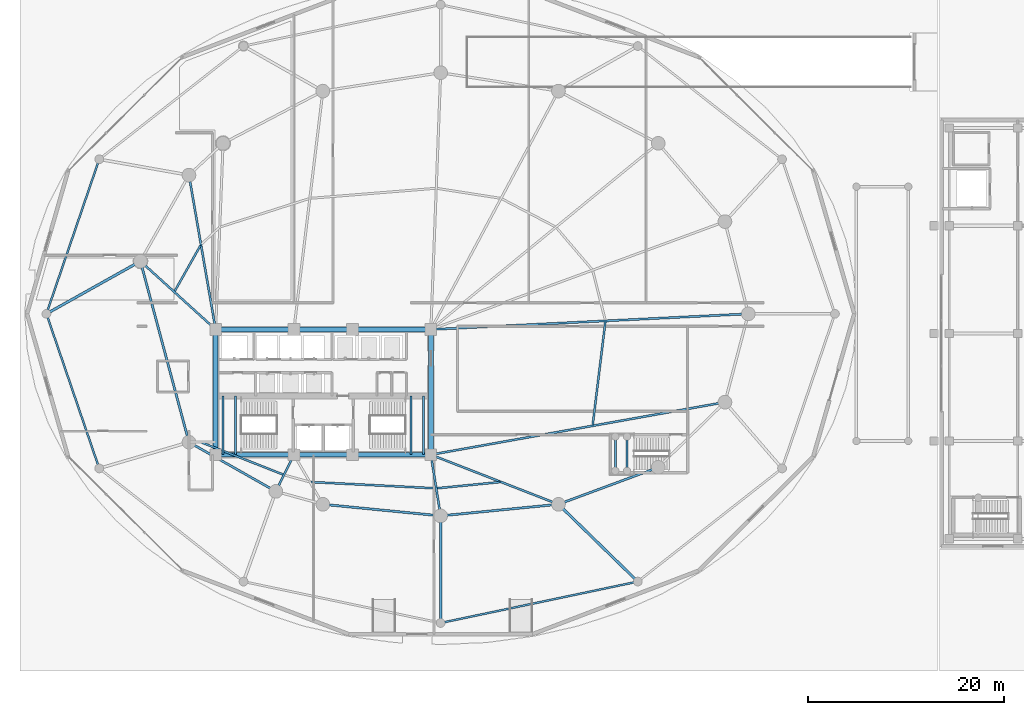
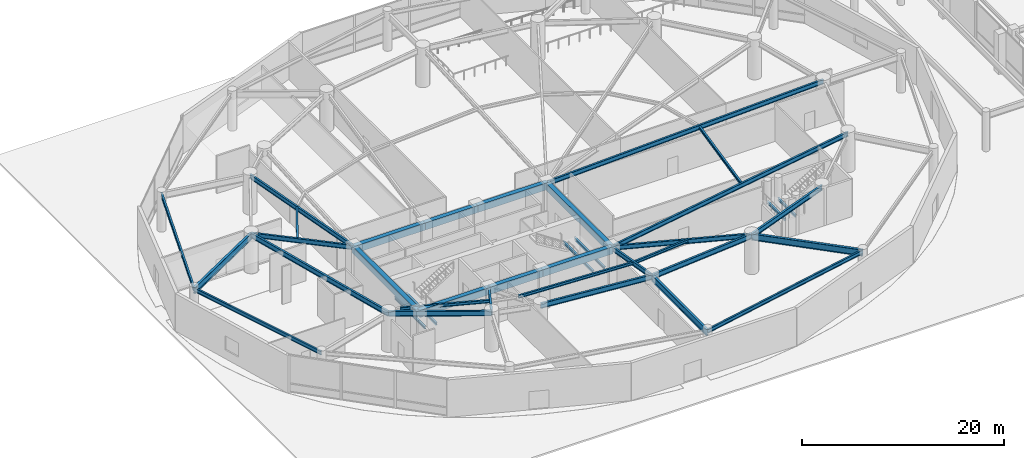
# One storey, part 5 of 35: 37 beams.
"""IFC4 building model written with IfcOpenShell, lengths in metres."""

import ifcopenshell
import ifcopenshell.guid

model = None  # the IFC model being written
_history = None  # IfcOwnerHistory: only IFC2X3 demands one
_inside = {}  # id of a spatial element -> (the spatial element, [elements in it])
_under = {}  # id of a project, library or spatial element -> (it, [spatial elements below it])
_declared = {}  # id of a project -> (the project, [libraries it declares])
_typed = {}  # id of a type object -> (the type object, [elements of that type])
_made_of = {}  # id of a material, layer set ... -> (it, [elements and type objects made of it])


def new_model(schema):
    """Start an empty IFC model of exactly this schema.

    Asked for "IFC4X3", IfcOpenShell would pick the latest addendum, in which some entities
    have other attributes; the version numbers below select the first issue.
    IFC2X3 requires an IfcOwnerHistory on every rooted entity: one is made here for all.
    """
    global model, _history
    if schema == "IFC4X3":
        model = ifcopenshell.file(schema_version=(4, 3, 0, 0))
    else:
        model = ifcopenshell.file(schema=schema)
    _inside.clear()
    _under.clear()
    _declared.clear()
    _typed.clear()
    _made_of.clear()
    _history = None
    if model.schema == "IFC2X3":
        org = make("IfcOrganization", Name="unknown")
        user = make(
            "IfcPersonAndOrganization",
            ThePerson=make("IfcPerson", FamilyName="unknown"),
            TheOrganization=org,
        )
        app = make(
            "IfcApplication",
            ApplicationDeveloper=org,
            Version="unknown",
            ApplicationFullName="unknown",
            ApplicationIdentifier="unknown",
        )
        _history = make(
            "IfcOwnerHistory",
            OwningUser=user,
            OwningApplication=app,
            ChangeAction="ADDED",
            CreationDate=0,
        )
    return model


def make(cls, **values):
    """One entity of the class cls with the attributes given. An attribute that is None is left unset."""
    return model.create_entity(
        cls, **{name: value for name, value in values.items() if value is not None}
    )


def rooted(cls, **values):
    """An entity with a GlobalId (a new one), such as an element, a storey or a relation."""
    return make(cls, GlobalId=ifcopenshell.guid.new(), OwnerHistory=_history, **values)


def si_unit(unit_type, name, prefix=None):
    """IfcSIUnit, for example si_unit("LENGTHUNIT", "METRE", prefix="MILLI")."""
    return make("IfcSIUnit", UnitType=unit_type, Prefix=prefix, Name=name)


def assignment(units):
    """IfcUnitAssignment: the units of a project."""
    return None if units is None else make("IfcUnitAssignment", Units=units)


def point(xyz):
    """IfcCartesianPoint."""
    return None if xyz is None else make("IfcCartesianPoint", Coordinates=xyz)


def direction(xyz):
    """IfcDirection."""
    return None if xyz is None else make("IfcDirection", DirectionRatios=xyz)


def frame(location, z_axis=None, x_axis=None):
    """IfcAxis2Placement3D, a coordinate frame: its origin and axes. An axis left out is left unset."""
    return make(
        "IfcAxis2Placement3D",
        Location=point(location),
        Axis=direction(z_axis),
        RefDirection=direction(x_axis),
    )


def frame_2d(location, x_axis=None):
    """IfcAxis2Placement2D, a coordinate frame in the plane: its origin and x axis."""
    return make(
        "IfcAxis2Placement2D", Location=point(location), RefDirection=direction(x_axis)
    )


def origin():
    """The frame at (0, 0, 0) with its axes left unset."""
    return frame((0.0, 0.0, 0.0))


def origin_2d():
    """The frame at (0, 0) in the plane with its x axis left unset."""
    return frame_2d((0.0, 0.0))


def place(relative_to, where):
    """IfcLocalPlacement: puts the frame where relative to a parent placement (None: the world)."""
    return make(
        "IfcLocalPlacement", PlacementRelTo=relative_to, RelativePlacement=where
    )


def context(
    kind, dimensions, precision=None, world=None, true_north=None, identifier=None
):
    """IfcGeometricRepresentationContext, for example the 3D "Model" context."""
    return make(
        "IfcGeometricRepresentationContext",
        ContextIdentifier=identifier,
        ContextType=kind,
        CoordinateSpaceDimension=dimensions,
        Precision=precision,
        WorldCoordinateSystem=world,
        TrueNorth=true_north,
    )


def subcontext(parent, identifier, kind, view, scale=None):
    """IfcGeometricRepresentationSubContext, for example "Body" below "Model"."""
    return make(
        "IfcGeometricRepresentationSubContext",
        ContextIdentifier=identifier,
        ContextType=kind,
        ParentContext=parent,
        TargetScale=scale,
        TargetView=view,
    )


def project(units=None, contexts=None):
    """IfcProject with its units and contexts."""
    return rooted(
        "IfcProject",
        Name="project",
        RepresentationContexts=contexts,
        UnitsInContext=assignment(units),
    )


def spatial(cls, under=None, at=None, **own):
    """A site, building, storey or space (cls), placed at a placement, below another one or the project."""
    s = rooted(cls, ObjectPlacement=at, **own)
    if under is not None:
        _under.setdefault(under.id(), (under, []))[1].append(s)
    return s


def profile(cls, at=None, kind="AREA", **sizes):
    """A parametric profile (cls). Its sizes go by their IFC names, for example OverallWidth=200.0."""
    return make(cls, ProfileType=kind, Position=at, **sizes)


def rectangle(**sizes):
    """IfcRectangleProfileDef."""
    return profile("IfcRectangleProfileDef", **sizes)


def i_section(**sizes):
    """IfcIShapeProfileDef."""
    return profile("IfcIShapeProfileDef", **sizes)


def extrude(swept, where, along, depth):
    """IfcExtrudedAreaSolid: the profile swept, set in the frame where, extruded along a direction by depth."""
    return make(
        "IfcExtrudedAreaSolid",
        SweptArea=swept,
        Position=where,
        ExtrudedDirection=direction(along),
        Depth=depth,
    )


def shape(context_of_items, identifier, shape_type, items):
    """IfcShapeRepresentation: the items that make up one representation, for example the "Body"."""
    return make(
        "IfcShapeRepresentation",
        ContextOfItems=context_of_items,
        RepresentationIdentifier=identifier,
        RepresentationType=shape_type,
        Items=items,
    )


def material(Name=None, Category=None):
    """IfcMaterial."""
    return make("IfcMaterial", Name=Name, Category=Category)


def material_profile(
    of_material, cross_section, Name=None, Category=None, Priority=None
):
    """IfcMaterialProfile: a cross section and its material."""
    return make(
        "IfcMaterialProfile",
        Name=Name,
        Material=of_material,
        Profile=cross_section,
        Priority=Priority,
        Category=Category,
    )


def profile_set(profiles, Name=None, composite=None):
    """IfcMaterialProfileSet."""
    return make(
        "IfcMaterialProfileSet",
        Name=Name,
        MaterialProfiles=profiles,
        CompositeProfile=composite,
    )


def made_of(thing, what):
    """Note that an element or type object is made of a material, layer set ...; save() writes the relation."""
    if what is not None:
        _made_of.setdefault(what.id(), (what, []))[1].append(thing)
    return thing


def type_object(cls, material=None, **own):
    """A type object (cls), such as IfcWallType, which elements share."""
    return made_of(rooted(cls, **own), material)


def element(
    cls,
    number,
    at=None,
    inside=None,
    cuts=None,
    type_object=None,
    material=None,
    context=None,
    identifier="Body",
    shape_type=None,
    held_by="IfcProductDefinitionShape",
    body=None,
    shapes=None,
    **own,
):
    """One element of the class cls, such as IfcWall. Its Tag is "e" and its number.

    at: its placement. inside: the storey or other place that contains it. cuts: it is an
    opening in that element (IfcRelVoidsElement). A single representation is given by context,
    identifier, shape_type and body (its items); several are given by shapes. held_by: the class
    of the entity that holds the representations. save() writes the other relations.
    """
    e = rooted(cls, Tag="e%d" % number, ObjectPlacement=at, **own)
    if body is not None:
        shapes = [shape(context, identifier, shape_type, body)]
    if shapes is not None:
        e.Representation = make(held_by, Representations=shapes)
    if inside is not None:
        _inside.setdefault(inside.id(), (inside, []))[1].append(e)
    if cuts is not None:
        rooted(
            "IfcRelVoidsElement", RelatingBuildingElement=cuts, RelatedOpeningElement=e
        )
    if type_object is not None:
        _typed.setdefault(type_object.id(), (type_object, []))[1].append(e)
    return made_of(e, material)


def aggregate(whole, parts):
    """IfcRelAggregates: a whole, such as a stair, and the parts it consists of."""
    return rooted("IfcRelAggregates", RelatingObject=whole, RelatedObjects=parts)


def save(model, path):
    """Write the relations noted so far, then the file.

    IfcRelAggregates (storeys below a building ...), IfcRelContainedInSpatialStructure (elements
    in a storey), IfcRelDefinesByType, IfcRelAssociatesMaterial and IfcRelDeclares: one each for
    every whole, place, type object, material and project.
    """
    for whole, parts in _under.values():
        aggregate(whole, parts)
    for where, things in _inside.values():
        rooted(
            "IfcRelContainedInSpatialStructure",
            RelatedElements=things,
            RelatingStructure=where,
        )
    for kind, things in _typed.values():
        rooted("IfcRelDefinesByType", RelatedObjects=things, RelatingType=kind)
    for what, things in _made_of.values():
        rooted("IfcRelAssociatesMaterial", RelatedObjects=things, RelatingMaterial=what)
    for by, libraries in _declared.values():
        rooted("IfcRelDeclares", RelatingContext=by, RelatedDefinitions=libraries)
    model.write(path)


model = new_model("IFC4")

# Units and contexts
model_context = context("Model", 3, precision=1e-05, world=origin(), true_north=direction((0.0, 1.0)))
body_context = subcontext(model_context, "Body", "Model", "MODEL_VIEW")
ifc_project = project(units=[si_unit("LENGTHUNIT", "METRE"), si_unit("AREAUNIT", "SQUARE_METRE"), si_unit("VOLUMEUNIT", "CUBIC_METRE"), si_unit("PLANEANGLEUNIT", "RADIAN"), si_unit("MASSUNIT", "GRAM", prefix="KILO")], contexts=[model_context])

# Site, building, storey
site_placement = place(None, origin())
site = spatial("IfcSite", under=ifc_project, at=site_placement, CompositionType="ELEMENT")
building_placement = place(site_placement, origin())
building = spatial("IfcBuilding", under=site, at=building_placement, Name="Kazevale Care Tower and Concert Hall", CompositionType="ELEMENT")
storey_placement = place(building_placement, origin())
storey = spatial("IfcBuildingStorey", under=building, at=storey_placement, Name="L00", CompositionType="ELEMENT", Elevation=0.0)

# Beams
ifc_material_1 = material(Name="Concrete C60", Category="concrete")
ifc_material_profile_1 = material_profile(ifc_material_1, rectangle(XDim=0.5, YDim=0.85009765625, at=origin_2d()), Name="RC-B500x850")
ifc_profile_set_1 = profile_set([ifc_material_profile_1], Name="Concrete C60")
beam_type_1 = type_object("IfcBeamType", Name="Core Coupling Beam RC500x850", PredefinedType="LINTEL", material=ifc_profile_set_1)
beam_1_placement = place(storey_placement, frame((22.0, 23.60009765625, 4.094970703125), z_axis=(1.0, 0.0, 0.0), x_axis=(0.0, 1.0, 0.0)))
element("IfcBeam", 1, at=beam_1_placement, inside=storey, type_object=beam_type_1, Name="beam:L00:coretie:1", PredefinedType="LINTEL", context=body_context, shape_type="SweptSolid", body=[
    extrude(rectangle(XDim=0.5, YDim=0.85009765625, at=origin_2d()), origin(), (0.0, 0.0, 1.0), 8.0),
])
beam_2_placement = place(storey_placement, frame((30.0, 23.60009765625, 4.094970703125), z_axis=(1.0, 0.0, 0.0), x_axis=(0.0, 1.0, 0.0)))
element("IfcBeam", 2, at=beam_2_placement, inside=storey, type_object=beam_type_1, Name="beam:L00:coretie:2", PredefinedType="LINTEL", context=body_context, shape_type="SweptSolid", body=[
    extrude(rectangle(XDim=0.5, YDim=0.85009765625, at=origin_2d()), origin(), (0.0, 0.0, 1.0), 6.0),
])
beam_3_placement = place(storey_placement, frame((36.0, 23.60009765625, 4.094970703125), z_axis=(1.0, 0.0, 0.0), x_axis=(0.0, 1.0, 0.0)))
element("IfcBeam", 3, at=beam_3_placement, inside=storey, type_object=beam_type_1, Name="beam:L00:coretie:3", PredefinedType="LINTEL", context=body_context, shape_type="SweptSolid", body=[
    extrude(rectangle(XDim=0.5, YDim=0.85009765625, at=origin_2d()), origin(), (0.0, 0.0, 1.0), 8.0),
])
beam_4_placement = place(storey_placement, frame((44.0, 23.60009765625, 4.094970703125), z_axis=(0.0, 1.0, 0.0), x_axis=(-1.0, 0.0, 0.0)))
element("IfcBeam", 4, at=beam_4_placement, inside=storey, type_object=beam_type_1, Name="beam:L00:coretie:4", PredefinedType="LINTEL", context=body_context, shape_type="SweptSolid", body=[
    extrude(rectangle(XDim=0.5, YDim=0.85009765625, at=origin_2d()), origin(), (0.0, 0.0, 1.0), 12.7998046875),
])
beam_5_placement = place(storey_placement, frame((44.0, 36.39990234375, 4.094970703125), z_axis=(-1.0, 0.0, 0.0), x_axis=(0.0, -1.0, 0.0)))
element("IfcBeam", 5, at=beam_5_placement, inside=storey, type_object=beam_type_1, Name="beam:L00:coretie:5", PredefinedType="LINTEL", context=body_context, shape_type="SweptSolid", body=[
    extrude(rectangle(XDim=0.5, YDim=0.85009765625, at=origin_2d()), origin(), (0.0, 0.0, 1.0), 8.0),
])
beam_6_placement = place(storey_placement, frame((36.0, 36.39990234375, 4.094970703125), z_axis=(-1.0, 0.0, 0.0), x_axis=(0.0, -1.0, 0.0)))
element("IfcBeam", 6, at=beam_6_placement, inside=storey, type_object=beam_type_1, Name="beam:L00:coretie:6", PredefinedType="LINTEL", context=body_context, shape_type="SweptSolid", body=[
    extrude(rectangle(XDim=0.5, YDim=0.85009765625, at=origin_2d()), origin(), (0.0, 0.0, 1.0), 6.0),
])
beam_7_placement = place(storey_placement, frame((30.0, 36.39990234375, 4.094970703125), z_axis=(-1.0, 0.0, 0.0), x_axis=(0.0, -1.0, 0.0)))
element("IfcBeam", 7, at=beam_7_placement, inside=storey, type_object=beam_type_1, Name="beam:L00:coretie:7", PredefinedType="LINTEL", context=body_context, shape_type="SweptSolid", body=[
    extrude(rectangle(XDim=0.5, YDim=0.85009765625, at=origin_2d()), origin(), (0.0, 0.0, 1.0), 8.0),
])
beam_8_placement = place(storey_placement, frame((22.0, 36.39990234375, 4.094970703125), z_axis=(0.0, -1.0, 0.0), x_axis=(1.0, 0.0, 0.0)))
element("IfcBeam", 8, at=beam_8_placement, inside=storey, type_object=beam_type_1, Name="beam:L00:coretie:8", PredefinedType="LINTEL", context=body_context, shape_type="SweptSolid", body=[
    extrude(rectangle(XDim=0.5, YDim=0.85009765625, at=origin_2d()), origin(), (0.0, 0.0, 1.0), 12.7998046875),
])
ifc_material_2 = material(Name="Steel ASTM A572 Gr 50", Category="steel")
ifc_material_profile_2 = material_profile(ifc_material_2, i_section(OverallWidth=0.194091796875, OverallDepth=0.468994140625, WebThickness=0.0126953125, FlangeThickness=0.0205078125, at=origin_2d()), Name="W460x106")
ifc_profile_set_2 = profile_set([ifc_material_profile_2], Name="Steel ASTM A572 Gr 50")
beam_type_2 = type_object("IfcBeamType", Name="Podium Floor Beam W460x106", PredefinedType="BEAM", material=ifc_profile_set_2)
for number, where, z_axis, x_axis, name in (
    (9, (10.10009765625, 53.800048828125, 4.285400390625), (-0.323412440773, -0.946258100707, 0.0), (0.946258100707, -0.323412440773, 0.0), "beam:L00:podring:06"),
    (10, (4.699951171875, 38.0, 4.285400390625), (0.323412440773, -0.946258100707, 0.0), (0.946258100707, 0.323412440773, 0.0), "beam:L00:podring:07"),
):
    element("IfcBeam", number, at=place(storey_placement, frame(where, z_axis=z_axis, x_axis=x_axis)), inside=storey, type_object=beam_type_2, Name=name, PredefinedType="BEAM", context=body_context, shape_type="SweptSolid", body=[
        extrude(i_section(OverallWidth=0.194091796875, OverallDepth=0.468994140625, WebThickness=0.0126953125, FlangeThickness=0.0205078125, at=origin_2d()), origin(), (0.0, 0.0, 1.0), 16.697509765625),
    ])
beam_9_placement = place(storey_placement, frame((45.0, 6.39990234375, 4.285400390625), z_axis=(0.978668137727, 0.205447502293, 0.0), x_axis=(-0.205447502293, 0.978668137727, 0.0)))
element("IfcBeam", 11, at=beam_9_placement, inside=storey, type_object=beam_type_2, Name="beam:L00:podring:10", PredefinedType="BEAM", context=body_context, shape_type="SweptSolid", body=[
    extrude(i_section(OverallWidth=0.194091796875, OverallDepth=0.468994140625, WebThickness=0.0126953125, FlangeThickness=0.0205078125, at=origin_2d()), origin(), (0.0, 0.0, 1.0), 20.589111328125),
])
ifc_material_profile_3 = material_profile(ifc_material_2, i_section(OverallWidth=0.26806640625, OverallDepth=0.77001953125, WebThickness=0.015625, FlangeThickness=0.025390625, at=origin_2d()), Name="W760x196")
ifc_profile_set_3 = profile_set([ifc_material_profile_3], Name="Steel ASTM A572 Gr 50")
beam_type_3 = type_object("IfcBeamType", Name="Podium Primary Girder W760x196", PredefinedType="BEAM", material=ifc_profile_set_3)
beam_10_placement = place(storey_placement, frame((14.31005859375, 43.3798828125, 4.135009765625), z_axis=(-0.872574804498, -0.488480511951, 0.0), x_axis=(0.488480511951, -0.872574804498, 0.0)))
element("IfcBeam", 12, at=beam_10_placement, inside=storey, type_object=beam_type_3, Name="beam:L00:podrad:07", PredefinedType="BEAM", context=body_context, shape_type="SweptSolid", body=[
    extrude(i_section(OverallWidth=0.26806640625, OverallDepth=0.77001953125, WebThickness=0.015625, FlangeThickness=0.025390625, at=origin_2d()), origin(), (0.0, 0.0, 1.0), 11.013427734375),
])
beam_11_placement = place(storey_placement, frame((45.0, 17.35009765625, 4.135009765625), z_axis=(0.0, -1.0, 0.0), x_axis=(1.0, 0.0, 0.0)))
element("IfcBeam", 13, at=beam_11_placement, inside=storey, type_object=beam_type_3, Name="beam:L00:podrad:10", PredefinedType="BEAM", context=body_context, shape_type="SweptSolid", body=[
    extrude(i_section(OverallWidth=0.26806640625, OverallDepth=0.77001953125, WebThickness=0.015625, FlangeThickness=0.025390625, at=origin_2d()), origin(), (0.0, 0.0, 1.0), 10.9501953125),
])
beam_12_placement = place(storey_placement, frame((57.0400390625, 18.530029296875, 4.135009765625), z_axis=(0.716307795312, -0.697784452661, 0.0), x_axis=(0.697784452661, 0.716307795312, 0.0)))
element("IfcBeam", 14, at=beam_12_placement, inside=storey, type_object=beam_type_3, Name="beam:L00:podrad:11", PredefinedType="BEAM", context=body_context, shape_type="SweptSolid", body=[
    extrude(i_section(OverallWidth=0.26806640625, OverallDepth=0.77001953125, WebThickness=0.015625, FlangeThickness=0.025390625, at=origin_2d()), origin(), (0.0, 0.0, 1.0), 11.32177734375),
])
ifc_material_profile_4 = material_profile(ifc_material_2, i_section(OverallWidth=0.2119140625, OverallDepth=0.5439453125, WebThickness=0.01318359375, FlangeThickness=0.021240234375, at=origin_2d()), Name="W530x123")
ifc_profile_set_4 = profile_set([ifc_material_profile_4], Name="Steel ASTM A572 Gr 50")
beam_type_4 = type_object("IfcBeamType", Name="Radial Floor Girder W530x123", PredefinedType="BEAM", material=ifc_profile_set_4)
beam_13_placement = place(storey_placement, frame((44.0, 36.39990234375, 4.248046875), z_axis=(0.998786488782, 0.049249871327, 0.0), x_axis=(-0.049249871327, 0.998786488782, 0.0)))
element("IfcBeam", 15, at=beam_13_placement, inside=storey, type_object=beam_type_4, Name="beam:L00:rad:01", PredefinedType="BEAM", context=body_context, shape_type="SweptSolid", body=[
    extrude(i_section(OverallWidth=0.2119140625, OverallDepth=0.5439453125, WebThickness=0.01318359375, FlangeThickness=0.021240234375, at=origin_2d()), origin(), (0.0, 0.0, 1.0), 32.4892578125),
])
beam_14_placement = place(storey_placement, frame((22.0, 36.39990234375, 4.248046875), z_axis=(-0.170469986865, 0.985362868987, 0.0), x_axis=(-0.985362868987, -0.170469986865, 0.0)))
element("IfcBeam", 16, at=beam_14_placement, inside=storey, type_object=beam_type_4, Name="beam:L00:rad:08", PredefinedType="BEAM", context=body_context, shape_type="SweptSolid", body=[
    extrude(i_section(OverallWidth=0.2119140625, OverallDepth=0.5439453125, WebThickness=0.01318359375, FlangeThickness=0.021240234375, at=origin_2d()), origin(), (0.0, 0.0, 1.0), 16.014404296875),
])
beam_15_placement = place(storey_placement, frame((22.0, 36.39990234375, 4.248046875), z_axis=(-0.740461073653, 0.672099247436, 0.0), x_axis=(-0.672099247436, -0.740461073653, 0.0)))
element("IfcBeam", 17, at=beam_15_placement, inside=storey, type_object=beam_type_4, Name="beam:L00:rad:09", PredefinedType="BEAM", context=body_context, shape_type="SweptSolid", body=[
    extrude(i_section(OverallWidth=0.2119140625, OverallDepth=0.5439453125, WebThickness=0.01318359375, FlangeThickness=0.021240234375, at=origin_2d()), origin(), (0.0, 0.0, 1.0), 10.38525390625),
])
beam_16_placement = place(storey_placement, frame((30.0, 23.60009765625, 4.248046875), z_axis=(-0.442443019162, -0.896796618412, 0.0), x_axis=(0.896796618412, -0.442443019162, 0.0)))
element("IfcBeam", 18, at=beam_16_placement, inside=storey, type_object=beam_type_4, Name="beam:L00:rad:11", PredefinedType="BEAM", context=body_context, shape_type="SweptSolid", body=[
    extrude(i_section(OverallWidth=0.2119140625, OverallDepth=0.5439453125, WebThickness=0.01318359375, FlangeThickness=0.021240234375, at=origin_2d()), origin(), (0.0, 0.0, 1.0), 4.181640625),
])
beam_17_placement = place(storey_placement, frame((44.0, 23.60009765625, 4.248046875), z_axis=(0.157990501107, -0.987440631917, 0.0), x_axis=(0.987440631917, 0.157990501107, 0.0)))
element("IfcBeam", 19, at=beam_17_placement, inside=storey, type_object=beam_type_4, Name="beam:L00:rad:13", PredefinedType="BEAM", context=body_context, shape_type="SweptSolid", body=[
    extrude(i_section(OverallWidth=0.2119140625, OverallDepth=0.5439453125, WebThickness=0.01318359375, FlangeThickness=0.021240234375, at=origin_2d()), origin(), (0.0, 0.0, 1.0), 6.32958984375),
])
beam_18_placement = place(storey_placement, frame((44.0, 23.60009765625, 4.248046875), z_axis=(0.932030212407, -0.362380577792, 0.0), x_axis=(0.362380577792, 0.932030212407, 0.0)))
element("IfcBeam", 20, at=beam_18_placement, inside=storey, type_object=beam_type_4, Name="beam:L00:rad:14", PredefinedType="BEAM", context=body_context, shape_type="SweptSolid", body=[
    extrude(i_section(OverallWidth=0.2119140625, OverallDepth=0.5439453125, WebThickness=0.01318359375, FlangeThickness=0.021240234375, at=origin_2d()), origin(), (0.0, 0.0, 1.0), 13.990966796875),
])
beam_19_placement = place(storey_placement, frame((44.0, 23.60009765625, 4.248046875), z_axis=(0.984416208219, 0.175854283415, 0.0), x_axis=(-0.175854283415, 0.984416208219, 0.0)))
element("IfcBeam", 21, at=beam_19_placement, inside=storey, type_object=beam_type_4, Name="beam:L00:rad:16", PredefinedType="BEAM", context=body_context, shape_type="SweptSolid", body=[
    extrude(i_section(OverallWidth=0.2119140625, OverallDepth=0.5439453125, WebThickness=0.01318359375, FlangeThickness=0.021240234375, at=origin_2d()), origin(), (0.0, 0.0, 1.0), 30.535888671875),
])
ifc_material_profile_5 = material_profile(ifc_material_2, i_section(OverallWidth=0.22900390625, OverallDepth=0.612060546875, WebThickness=0.011962890625, FlangeThickness=0.01953125, at=origin_2d()), Name="W610x125")
ifc_profile_set_5 = profile_set([ifc_material_profile_5], Name="Steel ASTM A572 Gr 50")
beam_type_5 = type_object("IfcBeamType", Name="Ring Spandrel Beam W610x125", PredefinedType="SPANDREL", material=ifc_profile_set_5)
beam_20_placement = place(storey_placement, frame((14.31005859375, 43.3798828125, 4.214111328125), z_axis=(0.258960352031, -0.965887952133, 0.0), x_axis=(0.965887952133, 0.258960352031, 0.0)))
element("IfcBeam", 22, at=beam_20_placement, inside=storey, type_object=beam_type_5, Name="beam:L00:ring:09", PredefinedType="SPANDREL", context=body_context, shape_type="SweptSolid", body=[
    extrude(i_section(OverallWidth=0.22900390625, OverallDepth=0.612060546875, WebThickness=0.011962890625, FlangeThickness=0.01953125, at=origin_2d()), origin(), (0.0, 0.0, 1.0), 19.1533203125),
])
beam_21_placement = place(storey_placement, frame((19.27001953125, 24.8798828125, 4.214111328125), z_axis=(0.870112469479, -0.492853213906, 0.0), x_axis=(0.492853213906, 0.870112469479, 0.0)))
element("IfcBeam", 23, at=beam_21_placement, inside=storey, type_object=beam_type_5, Name="beam:L00:ring:10", PredefinedType="SPANDREL", context=body_context, shape_type="SweptSolid", body=[
    extrude(i_section(OverallWidth=0.22900390625, OverallDepth=0.612060546875, WebThickness=0.011962890625, FlangeThickness=0.01953125, at=origin_2d()), origin(), (0.0, 0.0, 1.0), 10.205322265625),
])
for number, where, z_axis, x_axis, name in (
    (24, (32.9599609375, 18.530029296875, 4.214111328125), (0.995232251602, -0.09753340644, 0.0), (0.09753340644, 0.995232251602, 0.0), "beam:L00:ring:12"),
    (25, (45.0, 17.35009765625, 4.214111328125), (0.995232251602, 0.09753340644, 0.0), (-0.09753340644, 0.995232251602, 0.0), "beam:L00:ring:13"),
):
    element("IfcBeam", number, at=place(storey_placement, frame(where, z_axis=z_axis, x_axis=x_axis)), inside=storey, type_object=beam_type_5, Name=name, PredefinedType="SPANDREL", context=body_context, shape_type="SweptSolid", body=[
        extrude(i_section(OverallWidth=0.22900390625, OverallDepth=0.612060546875, WebThickness=0.011962890625, FlangeThickness=0.01953125, at=origin_2d()), origin(), (0.0, 0.0, 1.0), 12.09765625),
    ])
beam_22_placement = place(storey_placement, frame((57.0400390625, 18.530029296875, 4.214111328125), z_axis=(0.937680788596, 0.347497825458, 0.0), x_axis=(-0.347497825458, 0.937680788596, 0.0)))
element("IfcBeam", 26, at=beam_22_placement, inside=storey, type_object=beam_type_5, Name="beam:L00:ring:14", PredefinedType="SPANDREL", context=body_context, shape_type="SweptSolid", body=[
    extrude(i_section(OverallWidth=0.22900390625, OverallDepth=0.612060546875, WebThickness=0.011962890625, FlangeThickness=0.01953125, at=origin_2d()), origin(), (0.0, 0.0, 1.0), 10.8779296875),
])
ifc_material_profile_6 = material_profile(ifc_material_2, i_section(OverallWidth=0.205078125, OverallDepth=0.35400390625, WebThickness=0.009521484375, FlangeThickness=0.016845703125, at=origin_2d()), Name="W360x79")
ifc_profile_set_6 = profile_set([ifc_material_profile_6], Name="Steel ASTM A572 Gr 50")
beam_type_6 = type_object("IfcBeamType", Name="Secondary Floor Joist W360x79", PredefinedType="JOIST", material=ifc_profile_set_6)
beam_23_placement = place(storey_placement, frame((20.447021484375, 44.988037109375, 4.343017578125), z_axis=(-0.490956987312, -0.871183813331, 0.0), x_axis=(0.871183813331, -0.490956987312, 0.0)))
element("IfcBeam", 27, at=beam_23_placement, inside=storey, type_object=beam_type_6, Name="beam:L00:joist:08", PredefinedType="JOIST", context=body_context, shape_type="SweptSolid", body=[
    extrude(i_section(OverallWidth=0.205078125, OverallDepth=0.35400390625, WebThickness=0.009521484375, FlangeThickness=0.016845703125, at=origin_2d()), origin(), (0.0, 0.0, 1.0), 5.3466796875),
])
beam_24_placement = place(storey_placement, frame((20.595947265625, 24.842041015625, 4.343017578125), z_axis=(0.930380638802, -0.366594963062, 0.0), x_axis=(0.366594963062, 0.930380638802, 0.0)))
element("IfcBeam", 28, at=beam_24_placement, inside=storey, type_object=beam_type_6, Name="beam:L00:joist:10", PredefinedType="JOIST", context=body_context, shape_type="SweptSolid", body=[
    extrude(i_section(OverallWidth=0.205078125, OverallDepth=0.35400390625, WebThickness=0.009521484375, FlangeThickness=0.016845703125, at=origin_2d()), origin(), (0.0, 0.0, 1.0), 8.909423828125),
])
beam_25_placement = place(storey_placement, frame((31.73291015625, 20.805908203125, 4.343017578125), z_axis=(0.998743186005, -0.050120339262, 0.0), x_axis=(0.050120339262, 0.998743186005, 0.0)))
element("IfcBeam", 29, at=beam_25_placement, inside=storey, type_object=beam_type_6, Name="beam:L00:joist:12", PredefinedType="JOIST", context=body_context, shape_type="SweptSolid", body=[
    extrude(i_section(OverallWidth=0.205078125, OverallDepth=0.35400390625, WebThickness=0.009521484375, FlangeThickness=0.016845703125, at=origin_2d()), origin(), (0.0, 0.0, 1.0), 12.728271484375),
])
beam_26_placement = place(storey_placement, frame((44.654052734375, 20.173095703125, 4.343017578125), z_axis=(0.995242075791, 0.097433108212, 0.0), x_axis=(-0.097433108212, 0.995242075791, 0.0)))
element("IfcBeam", 30, at=beam_26_placement, inside=storey, type_object=beam_type_6, Name="beam:L00:joist:13", PredefinedType="JOIST", context=body_context, shape_type="SweptSolid", body=[
    extrude(i_section(OverallWidth=0.205078125, OverallDepth=0.35400390625, WebThickness=0.009521484375, FlangeThickness=0.016845703125, at=origin_2d()), origin(), (0.0, 0.0, 1.0), 6.44482421875),
])
beam_27_placement = place(storey_placement, frame((60.5458984375, 26.657958984375, 4.343017578125), z_axis=(0.1216468088, 0.992573450133, 0.0), x_axis=(-0.992573450133, 0.1216468088, 0.0)))
element("IfcBeam", 31, at=beam_27_placement, inside=storey, type_object=beam_type_6, Name="beam:L00:joist:16", PredefinedType="JOIST", context=body_context, shape_type="SweptSolid", body=[
    extrude(i_section(OverallWidth=0.205078125, OverallDepth=0.35400390625, WebThickness=0.009521484375, FlangeThickness=0.016845703125, at=origin_2d()), origin(), (0.0, 0.0, 1.0), 10.5966796875),
])
ifc_material_profile_7 = material_profile(ifc_material_2, i_section(OverallWidth=0.202880859375, OverallDepth=0.302978515625, WebThickness=0.007568359375, FlangeThickness=0.01318359375, at=origin_2d()), Name="W310x60")
ifc_profile_set_7 = profile_set([ifc_material_profile_7], Name="Steel ASTM A572 Gr 50")
beam_type_7 = type_object("IfcBeamType", Name="Stair & Balcony Trimmer W310x60", PredefinedType="BEAM", material=ifc_profile_set_7)
for number, where, z_axis, x_axis, name in (
    (32, (22.75, 23.60009765625, 2.048583984375), (0.0, 1.0, 0.0), (-1.0, 0.0, 0.0), "beam:L00:sttrim:ST1"),
    (33, (24.050048828125, 23.60009765625, 2.048583984375), (0.0, 1.0, 0.0), (-1.0, 0.0, 0.0), "beam:L00:sttrim:ST1b"),
    (34, (41.949951171875, 23.60009765625, 2.048583984375), (0.0, 1.0, 0.0), (-1.0, 0.0, 0.0), "beam:L00:sttrim:ST2"),
    (35, (43.25, 23.60009765625, 2.048583984375), (0.0, 1.0, 0.0), (-1.0, 0.0, 0.0), "beam:L00:sttrim:ST2b"),
):
    element("IfcBeam", number, at=place(storey_placement, frame(where, z_axis=z_axis, x_axis=x_axis)), inside=storey, type_object=beam_type_7, Name=name, PredefinedType="BEAM", context=body_context, shape_type="SweptSolid", body=[
        extrude(i_section(OverallWidth=0.202880859375, OverallDepth=0.302978515625, WebThickness=0.007568359375, FlangeThickness=0.01318359375, at=origin_2d()), origin(), (0.0, 0.0, 1.0), 6.0),
    ])
for number, where, z_axis, x_axis, name in (
    (36, (62.85009765625, 21.949951171875, 2.048583984375), (0.0, 1.0, 0.0), (-1.0, 0.0, 0.0), "beam:L00:st3trim:1"),
    (37, (64.050048828125, 21.949951171875, 2.048583984375), (0.0, 1.0, 0.0), (-1.0, 0.0, 0.0), "beam:L00:st3trim:2"),
):
    element("IfcBeam", number, at=place(storey_placement, frame(where, z_axis=z_axis, x_axis=x_axis)), inside=storey, type_object=beam_type_7, Name=name, PredefinedType="BEAM", context=body_context, shape_type="SweptSolid", body=[
        extrude(i_section(OverallWidth=0.202880859375, OverallDepth=0.302978515625, WebThickness=0.007568359375, FlangeThickness=0.01318359375, at=origin_2d()), origin(), (0.0, 0.0, 1.0), 3.5),
    ])

save(model, "model.ifc")
